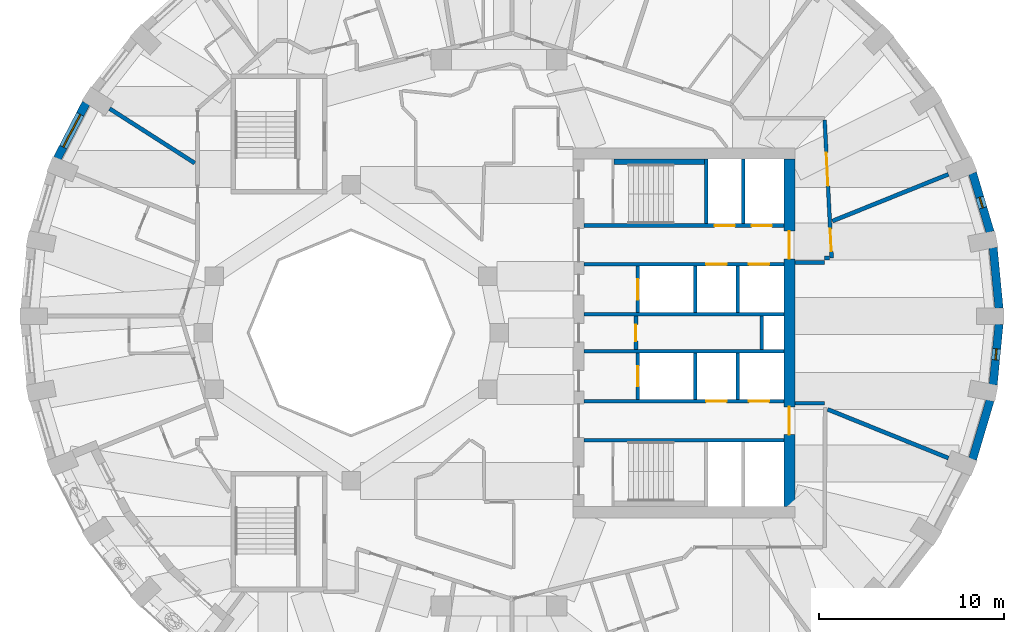
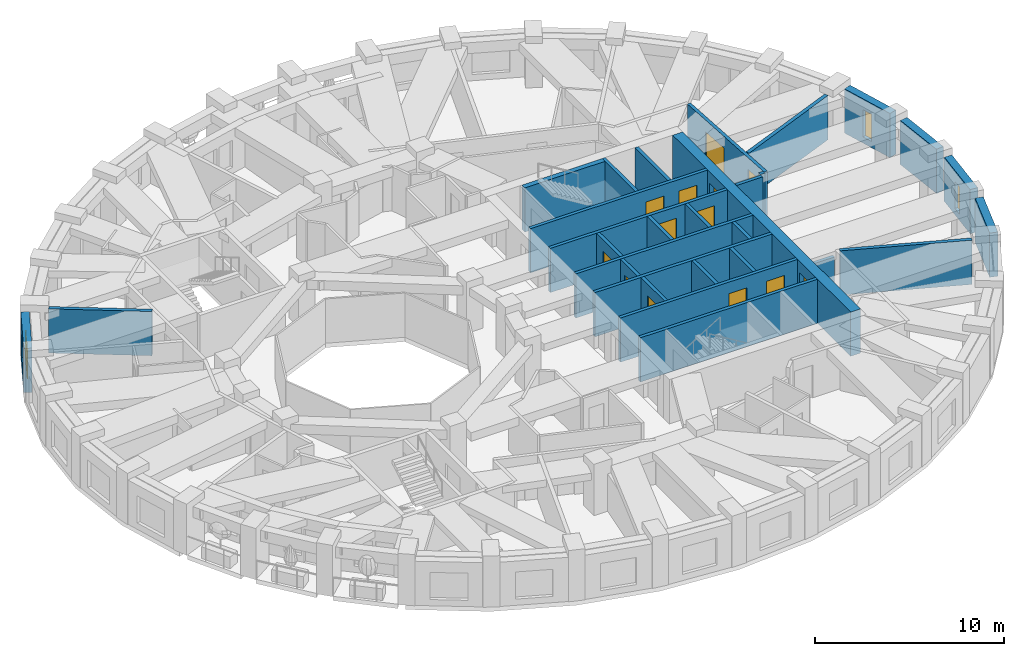
# One storey, part 6 of 12: 30 walls, 13 doors, 3 windows, 16 openings.
"""IFC4 building model written with IfcOpenShell, lengths in metres."""

from ifc_helpers import new_model, si_unit, direction, frame, frame_2d, origin, place, context, subcontext, project, spatial, rectangle, extrude, material, layer, layer_set, type_object, element, fill, save


model = new_model("IFC4")

# Units and contexts
model_context = context("Model", 3, precision=1e-05, world=origin(), true_north=direction((0.0, 1.0)))
body_context = subcontext(model_context, "Body", "Model", "MODEL_VIEW")
ifc_project = project(units=[si_unit("LENGTHUNIT", "METRE"), si_unit("AREAUNIT", "SQUARE_METRE"), si_unit("VOLUMEUNIT", "CUBIC_METRE"), si_unit("PLANEANGLEUNIT", "RADIAN"), si_unit("MASSUNIT", "GRAM", prefix="KILO")], contexts=[model_context])

# Site, building, storey
site_placement = place(None, origin())
site = spatial("IfcSite", under=ifc_project, at=site_placement, CompositionType="ELEMENT")
building_placement = place(site_placement, origin())
building = spatial("IfcBuilding", under=site, at=building_placement, Name="Taillehof Tower", CompositionType="ELEMENT")
storey_placement = place(building_placement, frame((0.0, 0.0, 225.5)))
storey = spatial("IfcBuildingStorey", under=building, at=storey_placement, Name="L64", CompositionType="ELEMENT", Elevation=225.5)

# Wall
ifc_material_1 = material(Name="Brick masonry", Category="masonry")
ifc_layer_1 = layer(ifc_material_1, 0.449951171875)
ifc_layer_set_1 = layer_set([ifc_layer_1], Name="Brick infill wall 450")
wall_type_1 = type_object("IfcWallType", Name="Brick infill wall 450", PredefinedType="SOLIDWALL", material=ifc_layer_set_1)
wall_1_placement = place(storey_placement, frame((27.0322265625, 1.330078125, 0.0), z_axis=(0.0, 0.0, 1.0), x_axis=(-0.096824116835, 0.995301507283, 0.0)))
element("IfcWall", 1, at=wall_1_placement, inside=storey, type_object=wall_type_1, Name="Brick wall L64 bay 1", PredefinedType="SOLIDWALL", context=body_context, shape_type="SweptSolid", body=[
    extrude(rectangle(XDim=3.29296875, YDim=0.449951171875, at=frame_2d((1.646484375, 0.0))), origin(), (0.0, 0.0, 1.0), 2.85009765625),
])

# Wall, opening, window
wall_2_placement = place(storey_placement, frame((26.548095703125, 5.451904296875, 0.0), z_axis=(0.0, 0.0, 1.0), x_axis=(-0.285444972963, 0.958395099847, 0.0)))
wall_2 = element("IfcWall", 2, at=wall_2_placement, inside=storey, type_object=wall_type_1, Name="Brick wall L64 bay 2", PredefinedType="SOLIDWALL", context=body_context, shape_type="SweptSolid", body=[
    extrude(rectangle(XDim=3.3203125, YDim=0.449951171875, at=frame_2d((1.66015625, 0.0))), origin(), (0.0, 0.0, 1.0), 2.85009765625),
])
opening_1_placement = place(wall_2_placement, frame((1.360107421875, 0.0, 0.39990234375)))
opening_1 = element("IfcOpeningElement", 3, at=opening_1_placement, cuts=wall_2, Name="Opening W6", PredefinedType="OPENING", context=body_context, shape_type="SweptSolid", body=[
    extrude(rectangle(XDim=0.60009765625, YDim=1.75, at=frame_2d((0.300048828125, 0.875))), frame((0.0, 0.23486328125, 0.0), z_axis=(0.0, -1.0, 0.0), x_axis=(1.0, 0.0, 0.0)), (0.0, 0.0, 1.0), 0.469970703125),
])
ifc_material_2 = material(Name="Aluminium window frame with clear double glazing", Category="aluminium")
window_type_1 = type_object("IfcWindowType", Name="Slot window 600x1750", PartitioningType="SINGLE_PANEL", PredefinedType="WINDOW", material=ifc_material_2)
window_1_placement = place(opening_1_placement, origin())
window_1 = element("IfcWindow", 4, at=window_1_placement, inside=storey, type_object=window_type_1, Name="W6", OverallHeight=1.75, OverallWidth=0.60009765625, PartitioningType="SINGLE_PANEL", PredefinedType="WINDOW", context=body_context, shape_type="SweptSolid", body=[
    extrude(rectangle(XDim=0.60009765625, YDim=1.75, at=frame_2d((0.300048828125, 0.875))), frame((0.0, 0.034912109375, 0.0), z_axis=(0.0, -1.0, 0.0), x_axis=(1.0, 0.0, 0.0)), (0.0, 0.0, 1.0), 0.06005859375),
])
fill(opening_1, window_1)

wall_3_placement = place(storey_placement, frame((-22.326904296875, 12.424072265625, 0.0), z_axis=(0.0, 0.0, 1.0), x_axis=(-0.460232593174, -0.887798378113, 0.0)))
wall_3 = element("IfcWall", 5, at=wall_3_placement, inside=storey, type_object=wall_type_1, Name="Brick wall L64 bay 16", PredefinedType="SOLIDWALL", context=body_context, shape_type="SweptSolid", body=[
    extrude(rectangle(XDim=3.37060546875, YDim=0.449951171875, at=frame_2d((1.685302734375, 0.0))), origin(), (0.0, 0.0, 1.0), 2.85009765625),
])
opening_2_placement = place(wall_3_placement, frame((0.685302734375, 0.0, 0.39990234375)))
opening_2 = element("IfcOpeningElement", 6, at=opening_2_placement, cuts=wall_3, Name="Opening W2", PredefinedType="OPENING", context=body_context, shape_type="SweptSolid", body=[
    extrude(rectangle(XDim=2.0, YDim=1.75, at=frame_2d((1.0, 0.875))), frame((0.0, 0.23486328125, 0.0), z_axis=(0.0, -1.0, 0.0), x_axis=(1.0, 0.0, 0.0)), (0.0, 0.0, 1.0), 0.469970703125),
])
ifc_material_3 = material(Name="Aluminium window frame with clear double glazing", Category="aluminium")
window_type_2 = type_object("IfcWindowType", Name="Deep-set window 2000x1750", PartitioningType="SINGLE_PANEL", PredefinedType="WINDOW", material=ifc_material_3)
window_2_placement = place(opening_2_placement, origin())
window_2 = element("IfcWindow", 7, at=window_2_placement, inside=storey, type_object=window_type_2, Name="W2", OverallHeight=1.75, OverallWidth=2.0, PartitioningType="SINGLE_PANEL", PredefinedType="WINDOW", context=body_context, shape_type="SweptSolid", body=[
    extrude(rectangle(XDim=2.0, YDim=1.75, at=frame_2d((1.0, 0.875))), frame((0.0, 0.034912109375, 0.0), z_axis=(0.0, -1.0, 0.0), x_axis=(1.0, 0.0, 0.0)), (0.0, 0.0, 1.0), 0.06005859375),
])
fill(opening_2, window_2)

# Wall
wall_4_placement = place(storey_placement, frame((25.600341796875, -6.833984375, 0.0), z_axis=(0.0, 0.0, 1.0), x_axis=(0.285444972963, 0.958395099847, 0.0)))
element("IfcWall", 8, at=wall_4_placement, inside=storey, type_object=wall_type_1, Name="Brick wall L64 bay 35", PredefinedType="SOLIDWALL", context=body_context, shape_type="SweptSolid", body=[
    extrude(rectangle(XDim=3.3203125, YDim=0.449951171875, at=frame_2d((1.66015625, 0.0))), origin(), (0.0, 0.0, 1.0), 2.85009765625),
])

# Wall, opening, window
wall_5_placement = place(storey_placement, frame((26.71337890625, -2.807861328125, 0.0), z_axis=(0.0, 0.0, 1.0), x_axis=(0.096816972749, 0.995302202242, 0.0)))
wall_5 = element("IfcWall", 9, at=wall_5_placement, inside=storey, type_object=wall_type_1, Name="Brick wall L64 bay 36", PredefinedType="SOLIDWALL", context=body_context, shape_type="SweptSolid", body=[
    extrude(rectangle(XDim=3.293212890625, YDim=0.449951171875, at=frame_2d((1.646484375, 0.0))), origin(), (0.0, 0.0, 1.0), 2.85009765625),
])
opening_3_placement = place(wall_5_placement, frame((1.3466796875, 0.0, 0.39990234375)))
opening_3 = element("IfcOpeningElement", 10, at=opening_3_placement, cuts=wall_5, Name="Opening W6", PredefinedType="OPENING", context=body_context, shape_type="SweptSolid", body=[
    extrude(rectangle(XDim=0.60009765625, YDim=1.75, at=frame_2d((0.300048828125, 0.875))), frame((0.0, 0.23486328125, 0.0), z_axis=(0.0, -1.0, 0.0), x_axis=(1.0, 0.0, 0.0)), (0.0, 0.0, 1.0), 0.469970703125),
])
window_3_placement = place(opening_3_placement, origin())
window_3 = element("IfcWindow", 11, at=window_3_placement, inside=storey, type_object=window_type_1, Name="W6", OverallHeight=1.75, OverallWidth=0.60009765625, PartitioningType="SINGLE_PANEL", PredefinedType="WINDOW", context=body_context, shape_type="SweptSolid", body=[
    extrude(rectangle(XDim=0.60009765625, YDim=1.75, at=frame_2d((0.300048828125, 0.875))), frame((0.0, 0.034912109375, 0.0), z_axis=(0.0, -1.0, 0.0), x_axis=(1.0, 0.0, 0.0)), (0.0, 0.0, 1.0), 0.06005859375),
])
fill(opening_3, window_3)

# Wall, opening, door
ifc_material_4 = material(Name="Calcium silicate masonry", Category="masonry")
ifc_layer_2 = layer(ifc_material_4, 0.199951171875)
ifc_layer_set_2 = layer_set([ifc_layer_2], Name="Compartment wall calcium silicate 200")
wall_type_2 = type_object("IfcWallType", Name="Compartment wall calcium silicate 200", PredefinedType="PARTITIONING", material=ifc_layer_set_2)
wall_6_placement = place(storey_placement, frame((7.39990234375, -0.89990234375, 0.0), z_axis=(0.0, 0.0, 1.0), x_axis=(0.0, 1.0, 0.0)))
wall_6 = element("IfcWall", 12, at=wall_6_placement, inside=storey, type_object=wall_type_2, Name="Compartment wall FW", PredefinedType="PARTITIONING", context=body_context, shape_type="SweptSolid", body=[
    extrude(rectangle(XDim=1.7998046875, YDim=0.199951171875, at=frame_2d((0.89990234375, 0.0))), origin(), (0.0, 0.0, 1.0), 2.85009765625),
])
opening_4_placement = place(wall_6_placement, frame((0.449951171875, 0.0, 0.0)))
opening_4 = element("IfcOpeningElement", 13, at=opening_4_placement, cuts=wall_6, Name="Opening D6414", PredefinedType="OPENING", context=body_context, shape_type="SweptSolid", body=[
    extrude(rectangle(XDim=0.89990234375, YDim=2.10009765625, at=frame_2d((0.449951171875, 1.050048828125))), frame((0.0, 0.10986328125, 0.0), z_axis=(0.0, -1.0, 0.0), x_axis=(1.0, 0.0, 0.0)), (0.0, 0.0, 1.0), 0.219970703125),
])
ifc_material_5 = material(Name="Steel-faced fire door", Category="steel")
door_type_1 = type_object("IfcDoorType", Name="Riser and service room door 900x2100", OperationType="SINGLE_SWING_LEFT", PredefinedType="DOOR", material=ifc_material_5)
door_1_placement = place(opening_4_placement, origin())
door_1 = element("IfcDoor", 14, at=door_1_placement, inside=storey, type_object=door_type_1, Name="Door Waste Room", OperationType="SINGLE_SWING_RIGHT", OverallHeight=2.10009765625, OverallWidth=0.89990234375, PredefinedType="DOOR", context=body_context, shape_type="SweptSolid", body=[
    extrude(rectangle(XDim=0.89990234375, YDim=2.10009765625, at=frame_2d((0.449951171875, 1.050048828125))), frame((0.0, 0.02490234375, 0.0), z_axis=(0.0, -1.0, 0.0), x_axis=(1.0, 0.0, 0.0)), (0.0, 0.0, 1.0), 0.050048828125),
])
fill(opening_4, door_1)

# Wall
wall_7_placement = place(storey_placement, frame((14.199951171875, -0.89990234375, 0.0), z_axis=(0.0, 0.0, 1.0), x_axis=(0.0, 1.0, 0.0)))
element("IfcWall", 15, at=wall_7_placement, inside=storey, type_object=wall_type_2, Name="Compartment wall FW", PredefinedType="PARTITIONING", context=body_context, shape_type="SweptSolid", body=[
    extrude(rectangle(XDim=1.7998046875, YDim=0.199951171875, at=frame_2d((0.89990234375, 0.0))), origin(), (0.0, 0.0, 1.0), 2.85009765625),
])

# Wall, openings, doors
ifc_material_6 = material(Name="Gypsum board on steel studs, two layers each side", Category="steel")
ifc_layer_3 = layer(ifc_material_6, 0.199951171875)
ifc_layer_set_3 = layer_set([ifc_layer_3], Name="Compartment wall corridor 200")
wall_type_3 = type_object("IfcWallType", Name="Compartment wall corridor 200", PredefinedType="PARTITIONING", material=ifc_layer_set_3)
wall_8_placement = place(storey_placement, frame((17.60498046875, 11.5, 0.0), z_axis=(0.0, 0.0, 1.0), x_axis=(0.050646981223, -0.998716618112, 0.0)))
wall_8 = element("IfcWall", 16, at=wall_8_placement, inside=storey, type_object=wall_type_3, Name="Compartment wall", PredefinedType="PARTITIONING", context=body_context, shape_type="SweptSolid", body=[
    extrude(rectangle(XDim=7.466796875, YDim=0.199951171875, at=frame_2d((3.7333984375, 0.0))), origin(), (0.0, 0.0, 1.0), 2.85009765625),
])
opening_5_placement = place(wall_8_placement, frame((5.888916015625, 0.0, 0.0)))
opening_5 = element("IfcOpeningElement", 17, at=opening_5_placement, cuts=wall_8, Name="Opening D6466", PredefinedType="OPENING", context=body_context, shape_type="SweptSolid", body=[
    extrude(rectangle(XDim=1.199951171875, YDim=2.10009765625, at=frame_2d((0.60009765625, 1.050048828125))), frame((0.0, 0.10986328125, 0.0), z_axis=(0.0, -1.0, 0.0), x_axis=(1.0, 0.0, 0.0)), (0.0, 0.0, 1.0), 0.219970703125),
])
opening_6_placement = place(wall_8_placement, frame((1.7646484375, 0.0, 0.0)))
opening_6 = element("IfcOpeningElement", 18, at=opening_6_placement, cuts=wall_8, Name="Opening D6467", PredefinedType="OPENING", context=body_context, shape_type="SweptSolid", body=[
    extrude(rectangle(XDim=1.800048828125, YDim=2.10009765625, at=frame_2d((0.89990234375, 1.050048828125))), frame((0.0, 0.10986328125, 0.0), z_axis=(0.0, -1.0, 0.0), x_axis=(1.0, 0.0, 0.0)), (0.0, 0.0, 1.0), 0.219970703125),
])
ifc_material_7 = material(Name="Timber door leaf in steel frame", Category="steel")
door_type_2 = type_object("IfcDoorType", Name="Lounge and meeting room double door EI 30 1800 x 2100", OperationType="SINGLE_SWING_LEFT", PredefinedType="DOOR", material=ifc_material_7)
door_2_placement = place(opening_6_placement, origin())
door_2 = element("IfcDoor", 19, at=door_2_placement, inside=storey, type_object=door_type_2, Name="D6467", OperationType="DOUBLE_DOOR_SINGLE_SWING", OverallHeight=2.10009765625, OverallWidth=1.800048828125, PredefinedType="DOOR", context=body_context, shape_type="SweptSolid", body=[
    extrude(rectangle(XDim=1.800048828125, YDim=2.10009765625, at=frame_2d((0.89990234375, 1.050048828125))), frame((0.0, 0.02490234375, 0.0), z_axis=(0.0, -1.0, 0.0), x_axis=(1.0, 0.0, 0.0)), (0.0, 0.0, 1.0), 0.050048828125),
])
fill(opening_6, door_2)
ifc_material_8 = material(Name="Timber door leaf in steel frame", Category="steel")
door_type_3 = type_object("IfcDoorType", Name="Suite entrance door EI 30 1200 x 2100", OperationType="SINGLE_SWING_LEFT", PredefinedType="DOOR", material=ifc_material_8)
door_3_placement = place(opening_5_placement, origin())
door_3 = element("IfcDoor", 20, at=door_3_placement, inside=storey, type_object=door_type_3, Name="D6466", OperationType="SINGLE_SWING_LEFT", OverallHeight=2.10009765625, OverallWidth=1.199951171875, PredefinedType="DOOR", context=body_context, shape_type="SweptSolid", body=[
    extrude(rectangle(XDim=1.199951171875, YDim=2.10009765625, at=frame_2d((0.60009765625, 1.050048828125))), frame((0.0, 0.02490234375, 0.0), z_axis=(0.0, -1.0, 0.0), x_axis=(1.0, 0.0, 0.0)), (0.0, 0.0, 1.0), 0.050048828125),
])
fill(opening_5, door_3)

# Walls
wall_9_placement = place(storey_placement, frame((17.863037109375, 4.042724609375, 0.0), z_axis=(0.0, 0.0, 1.0), x_axis=(-1.0, 0.0, 0.0)))
element("IfcWall", 21, at=wall_9_placement, inside=storey, type_object=wall_type_3, Name="Compartment wall", PredefinedType="PARTITIONING", context=body_context, shape_type="SweptSolid", body=[
    extrude(rectangle(XDim=0.262939453125, YDim=0.199951171875, at=frame_2d((0.13134765625, 0.0))), origin(), (0.0, 0.0, 1.0), 2.85009765625),
])
wall_10_placement = place(storey_placement, frame((17.60009765625, 3.800048828125, 0.0), z_axis=(0.0, 0.0, 1.0), x_axis=(-1.0, 0.0, 0.0)))
element("IfcWall", 22, at=wall_10_placement, inside=storey, type_object=wall_type_3, Name="Compartment wall", PredefinedType="PARTITIONING", context=body_context, shape_type="SweptSolid", body=[
    extrude(rectangle(XDim=1.59619140625, YDim=0.199951171875, at=frame_2d((0.798095703125, 0.0))), origin(), (0.0, 0.0, 1.0), 2.85009765625),
])
wall_11_placement = place(storey_placement, frame((16.00390625, -3.800048828125, 0.0), z_axis=(0.0, 0.0, 1.0), x_axis=(1.0, 0.0, 0.0)))
element("IfcWall", 23, at=wall_11_placement, inside=storey, type_object=wall_type_3, Name="Compartment wall", PredefinedType="PARTITIONING", context=body_context, shape_type="SweptSolid", body=[
    extrude(rectangle(XDim=1.59619140625, YDim=0.199951171875, at=frame_2d((0.798095703125, 0.0))), origin(), (0.0, 0.0, 1.0), 2.300048828125),
])
ifc_material_9 = material(Name="Gypsum board on double steel studs with mineral wool", Category="steel")
ifc_layer_4 = layer(ifc_material_9, 0.219970703125)
ifc_layer_set_4 = layer_set([ifc_layer_4], Name="Compartment wall guest room 220")
wall_type_4 = type_object("IfcWallType", Name="Compartment wall guest room 220", PredefinedType="PARTITIONING", material=ifc_layer_set_4)
wall_12_placement = place(storey_placement, frame((24.29541015625, 8.5712890625, 0.0), z_axis=(0.0, 0.0, 1.0), x_axis=(-0.927397869515, -0.374076451569, 0.0)))
element("IfcWall", 24, at=wall_12_placement, inside=storey, type_object=wall_type_4, Name="Compartment wall", PredefinedType="PARTITIONING", context=body_context, shape_type="SweptSolid", body=[
    extrude(rectangle(XDim=6.7666015625, YDim=0.219970703125, at=frame_2d((3.38330078125, 0.0))), origin(), (0.0, 0.0, 1.0), 2.85009765625),
])
wall_13_placement = place(storey_placement, frame((-21.054931640625, 12.120849609375, 0.0), z_axis=(0.0, 0.0, 1.0), x_axis=(0.842286811608, -0.539029616061, 0.0)))
element("IfcWall", 25, at=wall_13_placement, inside=storey, type_object=wall_type_4, Name="Compartment wall", PredefinedType="PARTITIONING", context=body_context, shape_type="SweptSolid", body=[
    extrude(rectangle(XDim=5.46630859375, YDim=0.219970703125, at=frame_2d((2.733154296875, 0.0))), origin(), (0.0, 0.0, 1.0), 2.85009765625),
])
wall_14_placement = place(storey_placement, frame((24.29541015625, -6.771484375, 0.0), z_axis=(0.0, 0.0, 1.0), x_axis=(-0.927386950843, 0.374103519639, 0.0)))
element("IfcWall", 26, at=wall_14_placement, inside=storey, type_object=wall_type_4, Name="Compartment wall", PredefinedType="PARTITIONING", context=body_context, shape_type="SweptSolid", body=[
    extrude(rectangle(XDim=7.040283203125, YDim=0.219970703125, at=frame_2d((3.52001953125, 0.0))), origin(), (0.0, 0.0, 1.0), 2.85009765625),
])
ifc_material_10 = material(Name="Calcium silicate masonry", Category="masonry")
ifc_layer_5 = layer(ifc_material_10, 0.300048828125)
ifc_layer_set_5 = layer_set([ifc_layer_5], Name="Compartment wall lining calcium silicate 300")
wall_type_5 = type_object("IfcWallType", Name="Compartment wall lining calcium silicate 300", PredefinedType="PARTITIONING", material=ifc_layer_set_5)
wall_15_placement = place(storey_placement, frame((6.219970703125, 9.25, 0.0), z_axis=(0.0, 0.0, 1.0), x_axis=(1.0, 0.0, 0.0)))
element("IfcWall", 27, at=wall_15_placement, inside=storey, type_object=wall_type_5, Name="Compartment wall FW", PredefinedType="PARTITIONING", context=body_context, shape_type="SweptSolid", body=[
    extrude(rectangle(XDim=4.880126953125, YDim=0.300048828125, at=frame_2d((2.43994140625, 0.0))), origin(), (0.0, 0.0, 1.0), 2.85009765625),
])

# Wall, openings, doors
ifc_material_11 = material(Name="Concrete C80/95", Category="concrete")
ifc_layer_6 = layer(ifc_material_11, 0.60009765625)
ifc_layer_set_6 = layer_set([ifc_layer_6], Name="Core wall C80/95 600")
wall_type_6 = type_object("IfcWallType", Name="Core wall C80/95 600", PredefinedType="SHEAR", material=ifc_layer_set_6)
wall_16_placement = place(storey_placement, frame((15.699951171875, -9.39990234375, 0.0), z_axis=(0.0, 0.0, 1.0), x_axis=(0.0, 1.0, 0.0)))
wall_16 = element("IfcWall", 28, at=wall_16_placement, inside=storey, type_object=wall_type_6, Name="Core wall CW05", PredefinedType="SHEAR", context=body_context, shape_type="SweptSolid", body=[
    extrude(rectangle(XDim=18.7998046875, YDim=0.60009765625, at=frame_2d((9.39990234375, 0.0))), origin(), (0.0, 0.0, 1.0), 2.85009765625),
])
opening_7_placement = place(wall_16_placement, frame((13.39990234375, 0.0, 0.0)))
opening_7 = element("IfcOpeningElement", 29, at=opening_7_placement, cuts=wall_16, Name="Opening D6408", PredefinedType="OPENING", context=body_context, shape_type="SweptSolid", body=[
    extrude(rectangle(XDim=1.5, YDim=2.10009765625, at=frame_2d((0.75, 1.050048828125))), frame((0.0, 0.31005859375, 0.0), z_axis=(0.0, -1.0, 0.0), x_axis=(1.0, 0.0, 0.0)), (0.0, 0.0, 1.0), 0.6201171875),
])
opening_8_placement = place(wall_16_placement, frame((3.89990234375, 0.0, 0.0)))
opening_8 = element("IfcOpeningElement", 30, at=opening_8_placement, cuts=wall_16, Name="Opening D6409", PredefinedType="OPENING", context=body_context, shape_type="SweptSolid", body=[
    extrude(rectangle(XDim=1.5, YDim=2.10009765625, at=frame_2d((0.75, 1.050048828125))), frame((0.0, 0.31005859375, 0.0), z_axis=(0.0, -1.0, 0.0), x_axis=(1.0, 0.0, 0.0)), (0.0, 0.0, 1.0), 0.6201171875),
])
ifc_material_12 = material(Name="Steel-faced fire door", Category="steel")
door_type_4 = type_object("IfcDoorType", Name="Lift lobby east door 1500x2100", OperationType="DOUBLE_DOOR_SINGLE_SWING", PredefinedType="DOOR", material=ifc_material_12)
door_4_placement = place(opening_7_placement, origin())
door_4 = element("IfcDoor", 31, at=door_4_placement, inside=storey, type_object=door_type_4, Name="Lift lobby east door north", OperationType="DOUBLE_DOOR_SINGLE_SWING", OverallHeight=2.10009765625, OverallWidth=1.5, PredefinedType="DOOR", context=body_context, shape_type="SweptSolid", body=[
    extrude(rectangle(XDim=1.5, YDim=2.10009765625, at=frame_2d((0.75, 1.050048828125))), frame((0.0, 0.02490234375, 0.0), z_axis=(0.0, -1.0, 0.0), x_axis=(1.0, 0.0, 0.0)), (0.0, 0.0, 1.0), 0.050048828125),
])
fill(opening_7, door_4)
door_5_placement = place(opening_8_placement, origin())
door_5 = element("IfcDoor", 32, at=door_5_placement, inside=storey, type_object=door_type_4, Name="Lift lobby east door south", OperationType="DOUBLE_DOOR_SINGLE_SWING", OverallHeight=2.10009765625, OverallWidth=1.5, PredefinedType="DOOR", context=body_context, shape_type="SweptSolid", body=[
    extrude(rectangle(XDim=1.5, YDim=2.10009765625, at=frame_2d((0.75, 1.050048828125))), frame((0.0, 0.02490234375, 0.0), z_axis=(0.0, -1.0, 0.0), x_axis=(1.0, 0.0, 0.0)), (0.0, 0.0, 1.0), 0.050048828125),
])
fill(opening_8, door_5)

ifc_material_13 = material(Name="Concrete C50/60", Category="concrete")
ifc_layer_7 = layer(ifc_material_13, 0.199951171875)
ifc_layer_set_7 = layer_set([ifc_layer_7], Name="Shaft wall C50/60 200")
wall_type_7 = type_object("IfcWallType", Name="Shaft wall C50/60 200", PredefinedType="SHEAR", material=ifc_layer_set_7)
wall_17_placement = place(storey_placement, frame((4.60009765625, 5.800048828125, 0.0), z_axis=(0.0, 0.0, 1.0), x_axis=(1.0, 0.0, 0.0)))
wall_17 = element("IfcWall", 33, at=wall_17_placement, inside=storey, type_object=wall_type_7, Name="Shaft wall SW", PredefinedType="SHEAR", context=body_context, shape_type="SweptSolid", body=[
    extrude(rectangle(XDim=10.7998046875, YDim=0.199951171875, at=frame_2d((5.39990234375, 0.0))), origin(), (0.0, 0.0, 1.0), 2.85009765625),
])
opening_9_placement = place(wall_17_placement, frame((7.050048828125, 0.0, 0.0)))
opening_9 = element("IfcOpeningElement", 34, at=opening_9_placement, cuts=wall_17, Name="Opening LD1", PredefinedType="OPENING", context=body_context, shape_type="SweptSolid", body=[
    extrude(rectangle(XDim=1.10009765625, YDim=2.10009765625, at=frame_2d((0.550048828125, 1.050048828125))), frame((0.0, 0.10986328125, 0.0), z_axis=(0.0, -1.0, 0.0), x_axis=(1.0, 0.0, 0.0)), (0.0, 0.0, 1.0), 0.219970703125),
])
opening_10_placement = place(wall_17_placement, frame((9.050048828125, 0.0, 0.0)))
opening_10 = element("IfcOpeningElement", 35, at=opening_10_placement, cuts=wall_17, Name="Opening LD1", PredefinedType="OPENING", context=body_context, shape_type="SweptSolid", body=[
    extrude(rectangle(XDim=1.10009765625, YDim=2.10009765625, at=frame_2d((0.550048828125, 1.050048828125))), frame((0.0, 0.10986328125, 0.0), z_axis=(0.0, -1.0, 0.0), x_axis=(1.0, 0.0, 0.0)), (0.0, 0.0, 1.0), 0.219970703125),
])
ifc_material_14 = material(Name="Stainless steel", Category="steel")
door_type_5 = type_object("IfcDoorType", Name="Lift landing door LD1 1100x2100", OperationType="DOUBLE_DOOR_SLIDING", PredefinedType="DOOR", material=ifc_material_14)
door_6_placement = place(opening_9_placement, origin())
door_6 = element("IfcDoor", 36, at=door_6_placement, inside=storey, type_object=door_type_5, Name="Landing door HR1", OperationType="DOUBLE_DOOR_SLIDING", OverallHeight=2.10009765625, OverallWidth=1.10009765625, PredefinedType="DOOR", context=body_context, shape_type="SweptSolid", body=[
    extrude(rectangle(XDim=1.10009765625, YDim=2.10009765625, at=frame_2d((0.550048828125, 1.050048828125))), frame((0.0, 0.02490234375, 0.0), z_axis=(0.0, -1.0, 0.0), x_axis=(1.0, 0.0, 0.0)), (0.0, 0.0, 1.0), 0.050048828125),
])
fill(opening_9, door_6)
door_7_placement = place(opening_10_placement, origin())
door_7 = element("IfcDoor", 37, at=door_7_placement, inside=storey, type_object=door_type_5, Name="Landing door HR2", OperationType="DOUBLE_DOOR_SLIDING", OverallHeight=2.10009765625, OverallWidth=1.10009765625, PredefinedType="DOOR", context=body_context, shape_type="SweptSolid", body=[
    extrude(rectangle(XDim=1.10009765625, YDim=2.10009765625, at=frame_2d((0.550048828125, 1.050048828125))), frame((0.0, 0.02490234375, 0.0), z_axis=(0.0, -1.0, 0.0), x_axis=(1.0, 0.0, 0.0)), (0.0, 0.0, 1.0), 0.050048828125),
])
fill(opening_10, door_7)

wall_18_placement = place(storey_placement, frame((4.60009765625, 3.699951171875, 0.0), z_axis=(0.0, 0.0, 1.0), x_axis=(1.0, 0.0, 0.0)))
wall_18 = element("IfcWall", 38, at=wall_18_placement, inside=storey, type_object=wall_type_7, Name="Shaft wall SW", PredefinedType="SHEAR", context=body_context, shape_type="SweptSolid", body=[
    extrude(rectangle(XDim=10.7998046875, YDim=0.199951171875, at=frame_2d((5.39990234375, 0.0))), origin(), (0.0, 0.0, 1.0), 2.85009765625),
])
opening_11_placement = place(wall_18_placement, frame((6.60009765625, 0.0, 0.0)))
opening_11 = element("IfcOpeningElement", 39, at=opening_11_placement, cuts=wall_18, Name="Opening LD1", PredefinedType="OPENING", context=body_context, shape_type="SweptSolid", body=[
    extrude(rectangle(XDim=1.10009765625, YDim=2.10009765625, at=frame_2d((0.550048828125, 1.050048828125))), frame((0.0, 0.10986328125, 0.0), z_axis=(0.0, -1.0, 0.0), x_axis=(1.0, 0.0, 0.0)), (0.0, 0.0, 1.0), 0.219970703125),
])
opening_12_placement = place(wall_18_placement, frame((8.89990234375, 0.0, 0.0)))
opening_12 = element("IfcOpeningElement", 40, at=opening_12_placement, cuts=wall_18, Name="Opening LD1", PredefinedType="OPENING", context=body_context, shape_type="SweptSolid", body=[
    extrude(rectangle(XDim=1.10009765625, YDim=2.10009765625, at=frame_2d((0.550048828125, 1.050048828125))), frame((0.0, 0.10986328125, 0.0), z_axis=(0.0, -1.0, 0.0), x_axis=(1.0, 0.0, 0.0)), (0.0, 0.0, 1.0), 0.219970703125),
])
door_8_placement = place(opening_11_placement, origin())
door_8 = element("IfcDoor", 41, at=door_8_placement, inside=storey, type_object=door_type_5, Name="Landing door HR3", OperationType="DOUBLE_DOOR_SLIDING", OverallHeight=2.10009765625, OverallWidth=1.10009765625, PredefinedType="DOOR", context=body_context, shape_type="SweptSolid", body=[
    extrude(rectangle(XDim=1.10009765625, YDim=2.10009765625, at=frame_2d((0.550048828125, 1.050048828125))), frame((0.0, 0.02490234375, 0.0), z_axis=(0.0, -1.0, 0.0), x_axis=(1.0, 0.0, 0.0)), (0.0, 0.0, 1.0), 0.050048828125),
])
fill(opening_11, door_8)
door_9_placement = place(opening_12_placement, origin())
door_9 = element("IfcDoor", 42, at=door_9_placement, inside=storey, type_object=door_type_5, Name="Landing door HR4", OperationType="DOUBLE_DOOR_SLIDING", OverallHeight=2.10009765625, OverallWidth=1.10009765625, PredefinedType="DOOR", context=body_context, shape_type="SweptSolid", body=[
    extrude(rectangle(XDim=1.10009765625, YDim=2.10009765625, at=frame_2d((0.550048828125, 1.050048828125))), frame((0.0, 0.02490234375, 0.0), z_axis=(0.0, -1.0, 0.0), x_axis=(1.0, 0.0, 0.0)), (0.0, 0.0, 1.0), 0.050048828125),
])
fill(opening_12, door_9)

# Walls
for number, where, z_axis, x_axis, name in (
    (43, (4.60009765625, 1.0, 0.0), (0.0, 0.0, 1.0), (1.0, 0.0, 0.0), "Shaft wall SW"),
    (44, (4.60009765625, -1.0, 0.0), (0.0, 0.0, 1.0), (1.0, 0.0, 0.0), "Shaft wall SW"),
):
    element("IfcWall", number, at=place(storey_placement, frame(where, z_axis=z_axis, x_axis=x_axis)), inside=storey, type_object=wall_type_7, Name=name, PredefinedType="SHEAR", context=body_context, shape_type="SweptSolid", body=[
        extrude(rectangle(XDim=10.7998046875, YDim=0.199951171875, at=frame_2d((5.39990234375, 0.0))), origin(), (0.0, 0.0, 1.0), 2.85009765625),
    ])

# Wall, openings, doors
wall_19_placement = place(storey_placement, frame((4.60009765625, -3.699951171875, 0.0), z_axis=(0.0, 0.0, 1.0), x_axis=(1.0, 0.0, 0.0)))
wall_19 = element("IfcWall", 45, at=wall_19_placement, inside=storey, type_object=wall_type_7, Name="Shaft wall SW", PredefinedType="SHEAR", context=body_context, shape_type="SweptSolid", body=[
    extrude(rectangle(XDim=10.7998046875, YDim=0.199951171875, at=frame_2d((5.39990234375, 0.0))), origin(), (0.0, 0.0, 1.0), 2.85009765625),
])
opening_13_placement = place(wall_19_placement, frame((6.60009765625, 0.0, 0.0)))
opening_13 = element("IfcOpeningElement", 46, at=opening_13_placement, cuts=wall_19, Name="Opening LD1", PredefinedType="OPENING", context=body_context, shape_type="SweptSolid", body=[
    extrude(rectangle(XDim=1.10009765625, YDim=2.10009765625, at=frame_2d((0.550048828125, 1.050048828125))), frame((0.0, 0.10986328125, 0.0), z_axis=(0.0, -1.0, 0.0), x_axis=(1.0, 0.0, 0.0)), (0.0, 0.0, 1.0), 0.219970703125),
])
opening_14_placement = place(wall_19_placement, frame((8.89990234375, 0.0, 0.0)))
opening_14 = element("IfcOpeningElement", 47, at=opening_14_placement, cuts=wall_19, Name="Opening LD1", PredefinedType="OPENING", context=body_context, shape_type="SweptSolid", body=[
    extrude(rectangle(XDim=1.10009765625, YDim=2.10009765625, at=frame_2d((0.550048828125, 1.050048828125))), frame((0.0, 0.10986328125, 0.0), z_axis=(0.0, -1.0, 0.0), x_axis=(1.0, 0.0, 0.0)), (0.0, 0.0, 1.0), 0.219970703125),
])
door_10_placement = place(opening_13_placement, origin())
door_10 = element("IfcDoor", 48, at=door_10_placement, inside=storey, type_object=door_type_5, Name="Landing door HR5", OperationType="DOUBLE_DOOR_SLIDING", OverallHeight=2.10009765625, OverallWidth=1.10009765625, PredefinedType="DOOR", context=body_context, shape_type="SweptSolid", body=[
    extrude(rectangle(XDim=1.10009765625, YDim=2.10009765625, at=frame_2d((0.550048828125, 1.050048828125))), frame((0.0, 0.02490234375, 0.0), z_axis=(0.0, -1.0, 0.0), x_axis=(1.0, 0.0, 0.0)), (0.0, 0.0, 1.0), 0.050048828125),
])
fill(opening_13, door_10)
door_11_placement = place(opening_14_placement, origin())
door_11 = element("IfcDoor", 49, at=door_11_placement, inside=storey, type_object=door_type_5, Name="Landing door HR6", OperationType="DOUBLE_DOOR_SLIDING", OverallHeight=2.10009765625, OverallWidth=1.10009765625, PredefinedType="DOOR", context=body_context, shape_type="SweptSolid", body=[
    extrude(rectangle(XDim=1.10009765625, YDim=2.10009765625, at=frame_2d((0.550048828125, 1.050048828125))), frame((0.0, 0.02490234375, 0.0), z_axis=(0.0, -1.0, 0.0), x_axis=(1.0, 0.0, 0.0)), (0.0, 0.0, 1.0), 0.050048828125),
])
fill(opening_14, door_11)

# Walls
wall_20_placement = place(storey_placement, frame((4.60009765625, -5.800048828125, 0.0), z_axis=(0.0, 0.0, 1.0), x_axis=(1.0, 0.0, 0.0)))
element("IfcWall", 50, at=wall_20_placement, inside=storey, type_object=wall_type_7, Name="Shaft wall SW", PredefinedType="SHEAR", context=body_context, shape_type="SweptSolid", body=[
    extrude(rectangle(XDim=10.7998046875, YDim=0.199951171875, at=frame_2d((5.39990234375, 0.0))), origin(), (0.0, 0.0, 1.0), 2.85009765625),
])
for number, where, z_axis, x_axis, name in (
    (51, (11.199951171875, 5.89990234375, 0.0), (0.0, 0.0, 1.0), (0.0, 1.0, 0.0), "Shaft wall SW"),
    (52, (13.199951171875, 5.89990234375, 0.0), (0.0, 0.0, 1.0), (0.0, 1.0, 0.0), "Shaft wall SW"),
):
    element("IfcWall", number, at=place(storey_placement, frame(where, z_axis=z_axis, x_axis=x_axis)), inside=storey, type_object=wall_type_7, Name=name, PredefinedType="SHEAR", context=body_context, shape_type="SweptSolid", body=[
        extrude(rectangle(XDim=3.5, YDim=0.199951171875, at=frame_2d((1.75, 0.0))), origin(), (0.0, 0.0, 1.0), 2.85009765625),
    ])

# Wall, opening, door
wall_21_placement = place(storey_placement, frame((7.5, 1.10009765625, 0.0), z_axis=(0.0, 0.0, 1.0), x_axis=(0.0, 1.0, 0.0)))
wall_21 = element("IfcWall", 53, at=wall_21_placement, inside=storey, type_object=wall_type_7, Name="Shaft wall SW", PredefinedType="SHEAR", context=body_context, shape_type="SweptSolid", body=[
    extrude(rectangle(XDim=2.5, YDim=0.199951171875, at=frame_2d((1.25, 0.0))), origin(), (0.0, 0.0, 1.0), 2.85009765625),
])
opening_15_placement = place(wall_21_placement, frame((0.699951171875, 0.0, 0.0)))
opening_15 = element("IfcOpeningElement", 54, at=opening_15_placement, cuts=wall_21, Name="Opening LD1", PredefinedType="OPENING", context=body_context, shape_type="SweptSolid", body=[
    extrude(rectangle(XDim=1.10009765625, YDim=2.10009765625, at=frame_2d((0.550048828125, 1.050048828125))), frame((0.0, 0.10986328125, 0.0), z_axis=(0.0, -1.0, 0.0), x_axis=(1.0, 0.0, 0.0)), (0.0, 0.0, 1.0), 0.219970703125),
])
door_12_placement = place(opening_15_placement, origin())
door_12 = element("IfcDoor", 55, at=door_12_placement, inside=storey, type_object=door_type_5, Name="Landing door FF1", OperationType="DOUBLE_DOOR_SLIDING", OverallHeight=2.10009765625, OverallWidth=1.10009765625, PredefinedType="DOOR", context=body_context, shape_type="SweptSolid", body=[
    extrude(rectangle(XDim=1.10009765625, YDim=2.10009765625, at=frame_2d((0.550048828125, 1.050048828125))), frame((0.0, 0.02490234375, 0.0), z_axis=(0.0, -1.0, 0.0), x_axis=(1.0, 0.0, 0.0)), (0.0, 0.0, 1.0), 0.050048828125),
])
fill(opening_15, door_12)

wall_22_placement = place(storey_placement, frame((7.5, -3.60009765625, 0.0), z_axis=(0.0, 0.0, 1.0), x_axis=(0.0, 1.0, 0.0)))
wall_22 = element("IfcWall", 56, at=wall_22_placement, inside=storey, type_object=wall_type_7, Name="Shaft wall SW", PredefinedType="SHEAR", context=body_context, shape_type="SweptSolid", body=[
    extrude(rectangle(XDim=2.5, YDim=0.199951171875, at=frame_2d((1.25, 0.0))), origin(), (0.0, 0.0, 1.0), 2.85009765625),
])
opening_16_placement = place(wall_22_placement, frame((0.699951171875, 0.0, 0.0)))
opening_16 = element("IfcOpeningElement", 57, at=opening_16_placement, cuts=wall_22, Name="Opening LD1", PredefinedType="OPENING", context=body_context, shape_type="SweptSolid", body=[
    extrude(rectangle(XDim=1.10009765625, YDim=2.10009765625, at=frame_2d((0.550048828125, 1.050048828125))), frame((0.0, 0.10986328125, 0.0), z_axis=(0.0, -1.0, 0.0), x_axis=(1.0, 0.0, 0.0)), (0.0, 0.0, 1.0), 0.219970703125),
])
door_13_placement = place(opening_16_placement, origin())
door_13 = element("IfcDoor", 58, at=door_13_placement, inside=storey, type_object=door_type_5, Name="Landing door FF2", OperationType="DOUBLE_DOOR_SLIDING", OverallHeight=2.10009765625, OverallWidth=1.10009765625, PredefinedType="DOOR", context=body_context, shape_type="SweptSolid", body=[
    extrude(rectangle(XDim=1.10009765625, YDim=2.10009765625, at=frame_2d((0.550048828125, 1.050048828125))), frame((0.0, 0.02490234375, 0.0), z_axis=(0.0, -1.0, 0.0), x_axis=(1.0, 0.0, 0.0)), (0.0, 0.0, 1.0), 0.050048828125),
])
fill(opening_16, door_13)

# Walls
for number, where, z_axis, x_axis, name in (
    (59, (10.60009765625, 1.10009765625, 0.0), (0.0, 0.0, 1.0), (0.0, 1.0, 0.0), "Shaft wall SW"),
    (60, (10.60009765625, -3.60009765625, 0.0), (0.0, 0.0, 1.0), (0.0, 1.0, 0.0), "Shaft wall SW"),
    (61, (12.89990234375, 1.10009765625, 0.0), (0.0, 0.0, 1.0), (0.0, 1.0, 0.0), "Shaft wall SW"),
    (62, (12.89990234375, -3.60009765625, 0.0), (0.0, 0.0, 1.0), (0.0, 1.0, 0.0), "Shaft wall SW"),
):
    element("IfcWall", number, at=place(storey_placement, frame(where, z_axis=z_axis, x_axis=x_axis)), inside=storey, type_object=wall_type_7, Name=name, PredefinedType="SHEAR", context=body_context, shape_type="SweptSolid", body=[
        extrude(rectangle(XDim=2.5, YDim=0.199951171875, at=frame_2d((1.25, 0.0))), origin(), (0.0, 0.0, 1.0), 2.85009765625),
    ])

save(model, "model.ifc")
